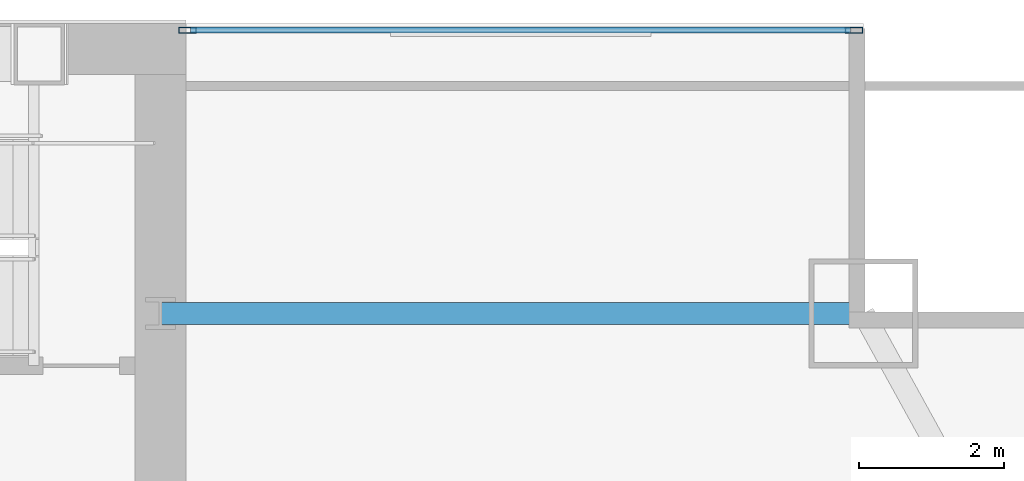
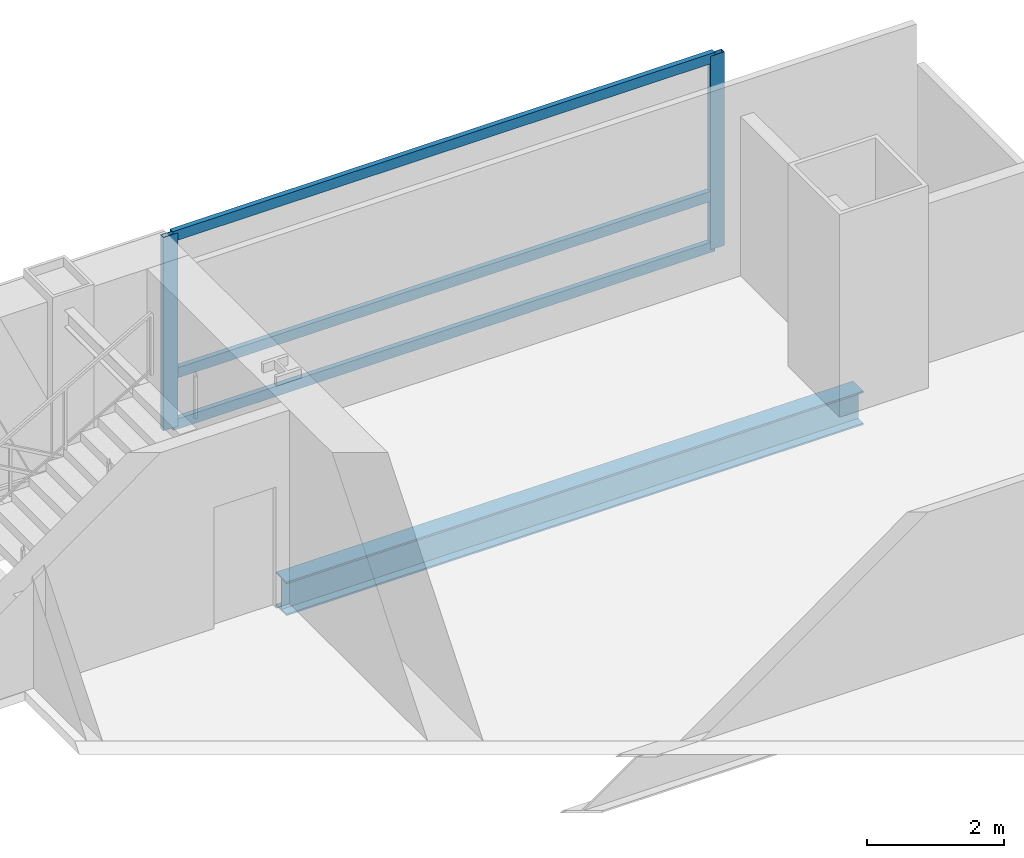
# One storey, part 20 of 31: 5 members, 1 beam, 1 element without a shape of its own.
"""IFC4 building model written with IfcOpenShell, lengths in metres."""

from ifc_helpers import new_model, si_unit, direction, frame, origin, origin_2d, place, context, subcontext, project, spatial, hollow_rectangle, i_section, extrude, material, material_profile, profile_set, type_object, element, aggregate, save


model = new_model("IFC4")

# Units and contexts
model_context = context("Model", 3, precision=1e-05, world=origin(), true_north=direction((0.0, 1.0)))
body_context = subcontext(model_context, "Body", "Model", "MODEL_VIEW")
ifc_project = project(units=[si_unit("LENGTHUNIT", "METRE"), si_unit("AREAUNIT", "SQUARE_METRE"), si_unit("VOLUMEUNIT", "CUBIC_METRE"), si_unit("PLANEANGLEUNIT", "RADIAN"), si_unit("MASSUNIT", "GRAM", prefix="KILO")], contexts=[model_context])

# Site, building, storey
site_placement = place(None, origin())
site = spatial("IfcSite", under=ifc_project, at=site_placement, CompositionType="ELEMENT")
building_placement = place(site_placement, origin())
building = spatial("IfcBuilding", under=site, at=building_placement, Name="Khoronbel Lancet Exchange", CompositionType="ELEMENT")
storey_placement = place(building_placement, frame((0.0, 0.0, 129.0)))
storey = spatial("IfcBuildingStorey", under=building, at=storey_placement, Name="L31", CompositionType="ELEMENT", Elevation=129.0)

# Beam
ifc_material_1 = material(Name="Steel S355", Category="steel")
ifc_material_profile_1 = material_profile(ifc_material_1, i_section(OverallWidth=0.300048828125, OverallDepth=0.60009765625, WebThickness=0.015380859375, FlangeThickness=0.030029296875, at=origin_2d()), Name="HEB 600")
ifc_profile_set_1 = profile_set([ifc_material_profile_1], Name="Steel S355")
beam_type = type_object("IfcBeamType", Name="BM-BSP2", PredefinedType="SPANDREL", material=ifc_profile_set_1)
beam_placement = place(storey_placement, frame((66.050048828125, 49.699951171875, -0.4599609375), z_axis=(-1.0, 0.0, 0.0), x_axis=(0.0, -1.0, 0.0)))
element("IfcBeam", 1, at=beam_placement, inside=storey, type_object=beam_type, Name="Level L31 north flank tie spandrel SP23", PredefinedType="SPANDREL", context=body_context, shape_type="SweptSolid", body=[
    extrude(i_section(OverallWidth=0.300048828125, OverallDepth=0.60009765625, WebThickness=0.015380859375, FlangeThickness=0.030029296875, at=origin_2d()), origin(), (0.0, 0.0, 1.0), 9.699951171875),
])

# Curtain wall, members
ifc_material_2 = material(Name="Low-E Solar Control Insulating Glass", Category="glass")
curtain_wall_type = type_object("IfcCurtainWallType", Name="CW-2", PredefinedType="NOTDEFINED", material=ifc_material_2)
curtain_wall_placement = place(storey_placement, origin())
curtain_wall = element("IfcCurtainWall", 2, at=curtain_wall_placement, inside=storey, type_object=curtain_wall_type, Name="Unitised curtain wall CW-L31-NEFLK", PredefinedType="NOTDEFINED")
ifc_material_3 = material(Name="Bronze-Anodised Aluminium 6063-T6", Category="aluminium")
ifc_material_profile_2 = material_profile(ifc_material_3, hollow_rectangle(XDim=0.0849609375, YDim=0.239990234375, WallThickness=0.006103515625, at=origin_2d()), Name="ALU MULLION 85x240")
ifc_profile_set_2 = profile_set([ifc_material_profile_2], Name="Bronze-Anodised Aluminium 6063-T6")
member_type_1 = type_object("IfcMemberType", Name="MEM-CWM1", PredefinedType="MULLION", material=ifc_profile_set_2)
member_1_placement = place(storey_placement, frame((65.91748046875, 53.610107421875, 0.0), z_axis=(0.0, 0.0, 1.0), x_axis=(0.0, -1.0, 0.0)))
member_1 = element("IfcMember", 3, at=member_1_placement, type_object=member_type_1, Name="CW2 mullion 1", PredefinedType="MULLION", context=body_context, shape_type="SweptSolid", body=[
    extrude(hollow_rectangle(XDim=0.0849609375, YDim=0.239990234375, WallThickness=0.006103515625, at=origin_2d()), origin(), (0.0, 0.0, 1.0), 3.43994140625),
])
member_2_placement = place(storey_placement, frame((56.722412109375, 53.610107421875, 0.0), z_axis=(0.0, 0.0, 1.0), x_axis=(0.0, -1.0, 0.0)))
member_2 = element("IfcMember", 4, at=member_2_placement, type_object=member_type_1, Name="CW2 mullion 2", PredefinedType="MULLION", context=body_context, shape_type="SweptSolid", body=[
    extrude(hollow_rectangle(XDim=0.0849609375, YDim=0.239990234375, WallThickness=0.006103515625, at=origin_2d()), origin(), (0.0, 0.0, 1.0), 3.43994140625),
])
ifc_material_profile_3 = material_profile(ifc_material_3, hollow_rectangle(XDim=0.0849609375, YDim=0.179931640625, WallThickness=0.0048828125, at=origin_2d()), Name="ALU TRANSOM 85x180")
ifc_profile_set_3 = profile_set([ifc_material_profile_3], Name="Bronze-Anodised Aluminium 6063-T6")
member_type_2 = type_object("IfcMemberType", Name="MEM-CWT1", PredefinedType="USERDEFINED", material=ifc_profile_set_3)
member_3_placement = place(storey_placement, frame((65.875, 53.610107421875, 0.04248046875), z_axis=(-1.0, 0.0, 0.0), x_axis=(0.0, -1.0, 0.0)))
member_3 = element("IfcMember", 5, at=member_3_placement, type_object=member_type_2, Name="CW2 transom 1.1", ObjectType="TRANSOM", PredefinedType="USERDEFINED", context=body_context, shape_type="SweptSolid", body=[
    extrude(hollow_rectangle(XDim=0.0849609375, YDim=0.179931640625, WallThickness=0.0048828125, at=origin_2d()), origin(), (0.0, 0.0, 1.0), 9.110107421875),
])
member_4_placement = place(storey_placement, frame((65.875, 53.610107421875, 0.949951171875), z_axis=(-1.0, 0.0, 0.0), x_axis=(0.0, -1.0, 0.0)))
member_4 = element("IfcMember", 6, at=member_4_placement, type_object=member_type_2, Name="CW2 transom 1.2", ObjectType="TRANSOM", PredefinedType="USERDEFINED", context=body_context, shape_type="SweptSolid", body=[
    extrude(hollow_rectangle(XDim=0.0849609375, YDim=0.179931640625, WallThickness=0.0048828125, at=origin_2d()), origin(), (0.0, 0.0, 1.0), 9.110107421875),
])
member_5_placement = place(storey_placement, frame((65.875, 53.610107421875, 3.3974609375), z_axis=(-1.0, 0.0, 0.0), x_axis=(0.0, -1.0, 0.0)))
member_5 = element("IfcMember", 7, at=member_5_placement, type_object=member_type_2, Name="CW2 transom 1.3", ObjectType="TRANSOM", PredefinedType="USERDEFINED", context=body_context, shape_type="SweptSolid", body=[
    extrude(hollow_rectangle(XDim=0.0849609375, YDim=0.179931640625, WallThickness=0.0048828125, at=origin_2d()), origin(), (0.0, 0.0, 1.0), 9.110107421875),
])
aggregate(curtain_wall, [member_1, member_2, member_3, member_4, member_5])

save(model, "model.ifc")
